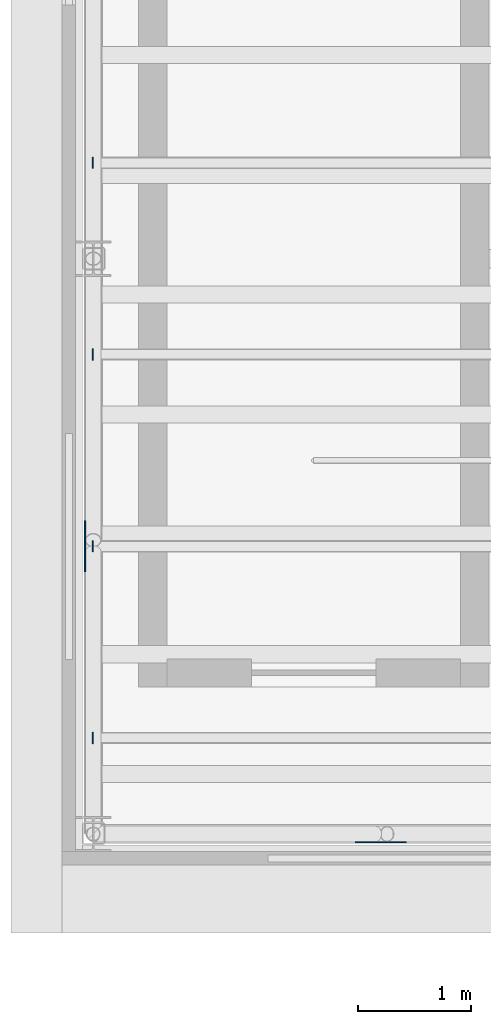
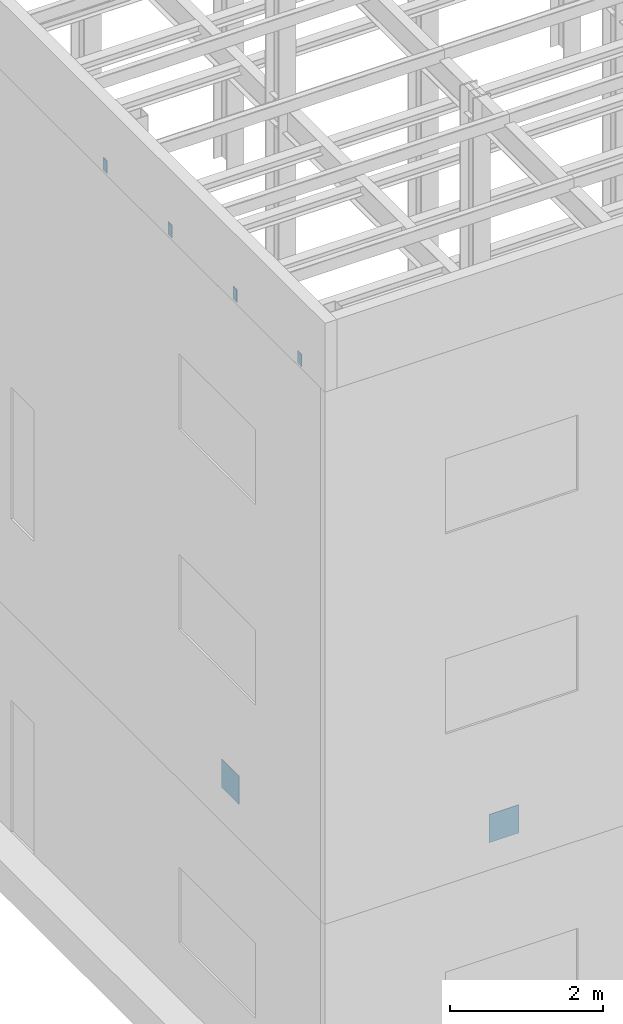
# One storey, part 7 of 22: 6 plates.
"""IFC4 building model written with IfcOpenShell, lengths in metres."""

from ifc_helpers import new_model, si_unit, direction, frame, origin, origin_2d, place, context, subcontext, project, spatial, rectangle, extrude, material, layer, layer_set, type_object, element, save


model = new_model("IFC4")

# Units and contexts
model_context = context("Model", 3, precision=1e-05, world=origin(), true_north=direction((0.0, 1.0)))
body_context = subcontext(model_context, "Body", "Model", "MODEL_VIEW")
ifc_project = project(units=[si_unit("LENGTHUNIT", "METRE"), si_unit("AREAUNIT", "SQUARE_METRE"), si_unit("VOLUMEUNIT", "CUBIC_METRE"), si_unit("PLANEANGLEUNIT", "RADIAN"), si_unit("MASSUNIT", "GRAM", prefix="KILO")], contexts=[model_context])

# Site, building, storey
site_placement = place(None, origin())
site = spatial("IfcSite", under=ifc_project, at=site_placement, CompositionType="ELEMENT")
building_placement = place(site_placement, origin())
building = spatial("IfcBuilding", under=site, at=building_placement, Name="Tide Square Theatres", CompositionType="ELEMENT")
storey_placement = place(building_placement, frame((0.0, 0.0, 24.0)))
storey = spatial("IfcBuildingStorey", under=building, at=storey_placement, Name="L05", CompositionType="ELEMENT", Elevation=24.0)

# Plates
ifc_material = material(Name="Steel ASTM A572 Grade 50", Category="steel")
ifc_layer = layer(ifc_material, 0.010009765625)
ifc_layer_set = layer_set([ifc_layer], Name="Steel ASTM A572 Grade 50")
plate_type = type_object("IfcPlateType", Name="Steel end plate 10 thick", PredefinedType="USERDEFINED", material=ifc_layer_set)
for number, where, z_axis, x_axis, name in (
    (1, (71.27099609375, 57.124267578125, 12.16015625), (0.0, 0.0, 1.0), (-1.0, 0.0, 0.0), "Tower roof purlin end plate"),
    (2, (71.27099609375, 58.82080078125, 12.16015625), (0.0, 0.0, 1.0), (-1.0, 0.0, 0.0), "Tower roof purlin end plate"),
    (3, (71.27099609375, 60.517333984375, 12.16015625), (0.0, 0.0, 1.0), (-1.0, 0.0, 0.0), "Tower roof purlin end plate"),
    (4, (71.27099609375, 62.2138671875, 12.16015625), (0.0, 0.0, 1.0), (-1.0, 0.0, 0.0), "Tower roof purlin end plate"),
):
    element("IfcPlate", number, at=place(storey_placement, frame(where, z_axis=z_axis, x_axis=x_axis)), inside=storey, type_object=plate_type, Name=name, ObjectType="END PLATE", PredefinedType="USERDEFINED", context=body_context, shape_type="SweptSolid", body=[
        extrude(rectangle(XDim=0.010009765625, YDim=0.10009765625, at=origin_2d()), origin(), (0.0, 0.0, 1.0), 0.199951171875),
    ])
for number, where, z_axis, x_axis, name in (
    (5, (73.82080078125, 56.202392578125, 4.27490234375), (0.0, 0.0, 1.0), (0.0, -1.0, 0.0), "Fly tower brace crossing node plate"),
    (6, (71.202392578125, 58.82080078125, 4.27490234375), (0.0, 0.0, 1.0), (-1.0, 0.0, 0.0), "Fly tower brace crossing node plate"),
):
    element("IfcPlate", number, at=place(storey_placement, frame(where, z_axis=z_axis, x_axis=x_axis)), inside=storey, type_object=plate_type, Name=name, ObjectType="END PLATE", PredefinedType="USERDEFINED", context=body_context, shape_type="SweptSolid", body=[
        extrude(rectangle(XDim=0.010009765625, YDim=0.449951171875, at=origin_2d()), origin(), (0.0, 0.0, 1.0), 0.449951171875),
    ])

save(model, "model.ifc")
